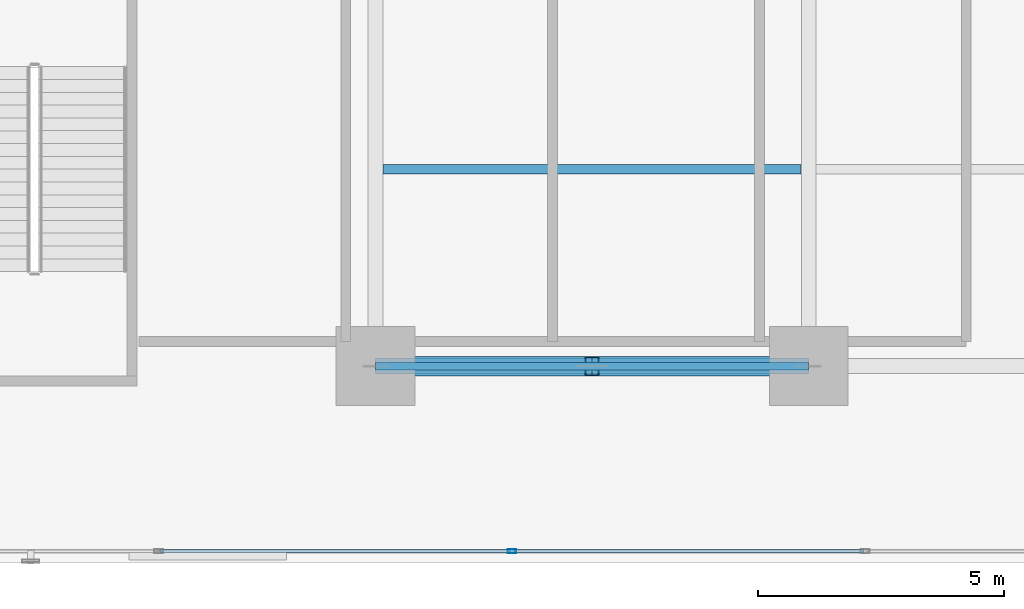
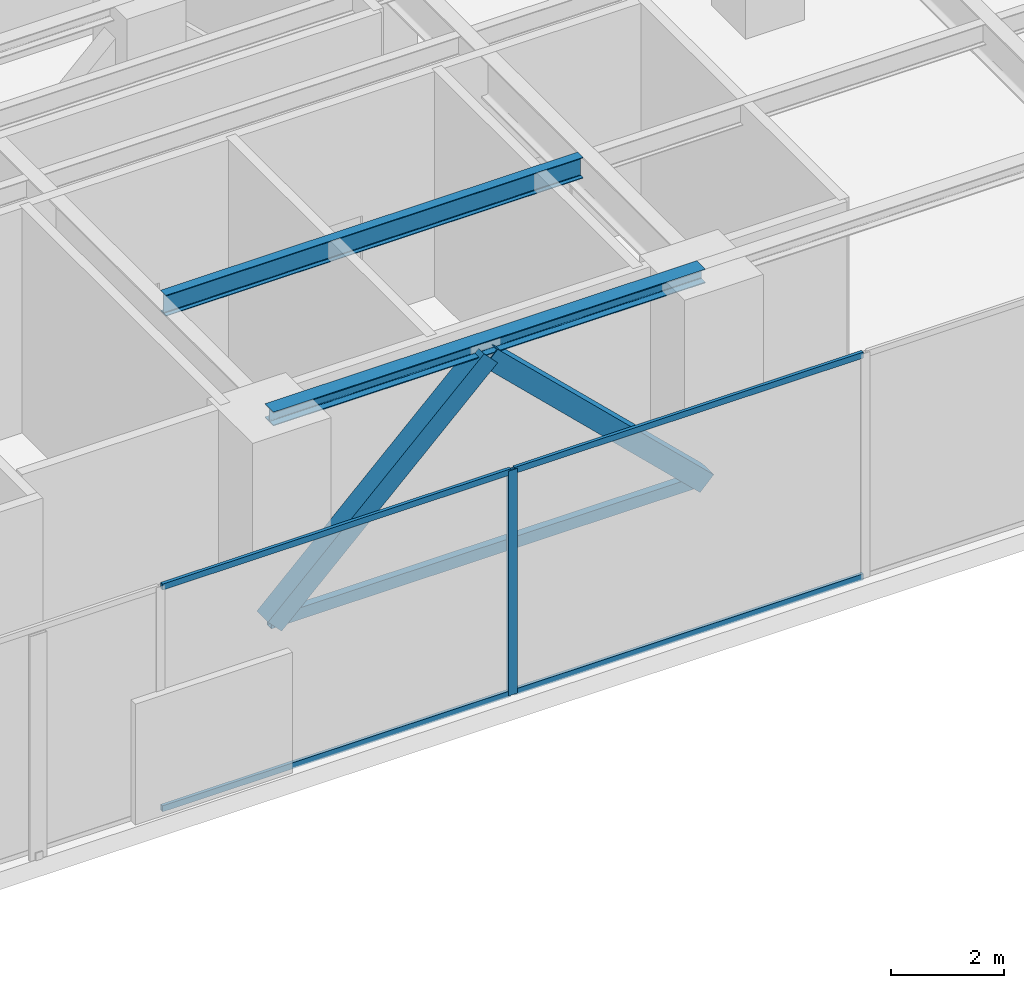
# One storey, part 13 of 36: 8 members, 2 beams, 1 element without a shape of its own.
"""IFC4 building model written with IfcOpenShell, lengths in metres."""

from ifc_helpers import new_model, si_unit, direction, frame, origin, origin_with_axes, origin_2d, place, context, subcontext, project, spatial, hollow_rectangle, i_section, extrude, source, transform, mapped, material, layer, layer_set, material_profile, profile_set, type_object, element, aggregate, save


model = new_model("IFC4")

# Units and contexts
model_context = context("Model", 3, precision=1e-05, world=origin(), true_north=direction((0.0, 1.0)))
body_context = subcontext(model_context, "Body", "Model", "MODEL_VIEW")
ifc_project = project(units=[si_unit("LENGTHUNIT", "METRE"), si_unit("AREAUNIT", "SQUARE_METRE"), si_unit("VOLUMEUNIT", "CUBIC_METRE"), si_unit("PLANEANGLEUNIT", "RADIAN"), si_unit("MASSUNIT", "GRAM", prefix="KILO")], contexts=[model_context])

# Site, building, storey
site_placement = place(None, origin())
site = spatial("IfcSite", under=ifc_project, at=site_placement, CompositionType="ELEMENT")
building_placement = place(site_placement, origin())
building = spatial("IfcBuilding", under=site, at=building_placement, Name="Kolvaren Waterfront Exchange", CompositionType="ELEMENT")
storey_placement = place(building_placement, frame((0.0, 0.0, 82.800048828125)))
storey = spatial("IfcBuildingStorey", under=building, at=storey_placement, Name="L21", CompositionType="ELEMENT", Elevation=82.800048828125)

# Beams
ifc_material_1 = material(Name="Steel S355", Category="steel")
ifc_material_profile_1 = material_profile(ifc_material_1, i_section(OverallWidth=0.300048828125, OverallDepth=0.300048828125, WebThickness=0.010986328125, FlangeThickness=0.01904296875, FilletRadius=0.027099609375, at=origin_2d()), Name="HEB300")
ifc_profile_set_1 = profile_set([ifc_material_profile_1], Name="Steel S355")
beam_type_1 = type_object("IfcBeamType", Name="STR-BM-HEB300", PredefinedType="SPANDREL", material=ifc_profile_set_1)
beam_1_placement = place(storey_placement, frame((36.800048828125, 5.199951171875, 4.68994140625), z_axis=(1.0, 0.0, 0.0), x_axis=(0.0, 1.0, 0.0)))
element("IfcBeam", 1, at=beam_1_placement, inside=storey, type_object=beam_type_1, Name="L21 east-arm spandrel S3", PredefinedType="SPANDREL", context=body_context, shape_type="SweptSolid", body=[
    extrude(i_section(OverallWidth=0.300048828125, OverallDepth=0.300048828125, WebThickness=0.010986328125, FlangeThickness=0.01904296875, FilletRadius=0.027099609375, at=origin_2d()), origin(), (0.0, 0.0, 1.0), 8.800048828125),
])
ifc_material_profile_2 = material_profile(ifc_material_1, i_section(OverallWidth=0.18994140625, OverallDepth=0.449951171875, WebThickness=0.009521484375, FlangeThickness=0.0146484375, FilletRadius=0.02099609375, at=origin_2d()), Name="IPE450")
ifc_profile_set_2 = profile_set([ifc_material_profile_2], Name="Steel S355")
beam_type_2 = type_object("IfcBeamType", Name="STR-BM-IPE450", PredefinedType="JOIST", material=ifc_profile_set_2)
beam_2_placement = place(storey_placement, frame((36.951904296875, 9.199951171875, 4.614990234375), z_axis=(1.0, 0.0, 0.0), x_axis=(0.0, 1.0, 0.0)))
element("IfcBeam", 2, at=beam_2_placement, inside=storey, type_object=beam_type_2, Name="L21 east-arm composite joist 3B", PredefinedType="JOIST", context=body_context, shape_type="SweptSolid", body=[
    extrude(i_section(OverallWidth=0.18994140625, OverallDepth=0.449951171875, WebThickness=0.009521484375, FlangeThickness=0.0146484375, FilletRadius=0.02099609375, at=origin_2d()), origin(), (0.0, 0.0, 1.0), 8.49609375),
])

# Members
ifc_material_2 = material(Name="Steel S460", Category="steel")
ifc_material_profile_3 = material_profile(ifc_material_2, hollow_rectangle(XDim=0.14990234375, YDim=0.25, WallThickness=0.010009765625, at=origin_2d()), Name="RHS250x150x10")
ifc_profile_set_3 = profile_set([ifc_material_profile_3], Name="Steel S460")
member_type_1 = type_object("IfcMemberType", Name="STR-BR-RHS250", PredefinedType="CHORD", material=ifc_profile_set_3)
member_1_placement = place(storey_placement, frame((36.800048828125, 5.199951171875, 0.25), z_axis=(1.0, 0.0, 0.0), x_axis=(0.0, 1.0, 0.0)))
element("IfcMember", 3, at=member_1_placement, inside=storey, type_object=member_type_1, Name="L21 belt-truss bottom chord BT3", PredefinedType="CHORD", context=body_context, shape_type="SweptSolid", body=[
    extrude(hollow_rectangle(XDim=0.14990234375, YDim=0.25, WallThickness=0.010009765625, at=origin_2d()), origin(), (0.0, 0.0, 1.0), 8.800048828125),
])
ifc_material_profile_4 = material_profile(ifc_material_2, hollow_rectangle(XDim=0.39990234375, YDim=0.39990234375, WallThickness=0.02001953125, at=origin_2d()), Name="SHS400x400x20")
ifc_profile_set_4 = profile_set([ifc_material_profile_4], Name="Steel S460")
member_type_2 = type_object("IfcMemberType", Name="STR-BR-SHS400", PredefinedType="BRACE", material=ifc_profile_set_4)
member_2_placement = place(storey_placement, frame((36.800048828125, 5.199951171875, 0.25), z_axis=(0.720070995005, 0.0, 0.693900397861), x_axis=(0.0, 1.0, 0.0)))
element("IfcMember", 4, at=member_2_placement, inside=storey, type_object=member_type_2, Name="L21 belt-truss chevron brace BT3L", PredefinedType="BRACE", context=body_context, shape_type="SweptSolid", body=[
    extrude(hollow_rectangle(XDim=0.39990234375, YDim=0.39990234375, WallThickness=0.02001953125, at=origin_2d()), origin(), (0.0, 0.0, 1.0), 6.1103515625),
])
member_3_placement = place(storey_placement, frame((45.60009765625, 5.199951171875, 0.25), z_axis=(-0.720090232471, 0.0, 0.693880434297), x_axis=(0.0, -1.0, 0.0)))
element("IfcMember", 5, at=member_3_placement, inside=storey, type_object=member_type_2, Name="L21 belt-truss chevron brace BT3R", PredefinedType="BRACE", context=body_context, shape_type="SweptSolid", body=[
    extrude(hollow_rectangle(XDim=0.39990234375, YDim=0.39990234375, WallThickness=0.02001953125, at=origin_2d()), origin(), (0.0, 0.0, 1.0), 6.110595703125),
])

# Curtain wall, members
ifc_material_3 = material(Name="Anodised dark bronze spandrel aluminium", Category="aluminium")
ifc_layer = layer(ifc_material_3, 0.219970703125, Name="Anodised dark bronze spandrel aluminium")
ifc_layer_set = layer_set([ifc_layer], Name="Anodised dark bronze spandrel aluminium")
curtain_wall_type = type_object("IfcCurtainWallType", Name="ARC-CW-SYS6", PredefinedType="USERDEFINED", material=ifc_layer_set)
curtain_wall_placement = place(storey_placement, origin())
curtain_wall = element("IfcCurtainWall", 6, at=curtain_wall_placement, inside=storey, type_object=curtain_wall_type, Name="L21 stick curtain wall CW6 (CW-L21-S)", ObjectType="STICK CURTAIN WALL", PredefinedType="USERDEFINED")
ifc_material_4 = material(Name="Anodised bronze aluminium 6063-T6", Category="aluminium")
ifc_material_profile_5 = material_profile(ifc_material_4, hollow_rectangle(XDim=0.074951171875, YDim=0.179931640625, WallThickness=0.00439453125, at=origin_2d()), Name="ALU-MUL-180x75x4.5")
ifc_profile_set_5 = profile_set([ifc_material_profile_5], Name="Anodised bronze aluminium 6063-T6")
member_type_3 = type_object("IfcMemberType", Name="ARC-CWM-180", PredefinedType="MULLION", material=ifc_profile_set_5)
shared_shape_1 = source(origin_with_axes(), body_context, "Body", "SweptSolid", [
    extrude(hollow_rectangle(XDim=0.074951171875, YDim=0.179931640625, WallThickness=0.00439453125, at=origin_2d()), origin(), (0.0, 0.0, 1.0), 4.83984375),
])
member_4_placement = place(storey_placement, frame((39.574951171875, 1.43994140625, 0.0), z_axis=(0.0, 0.0, 1.0), x_axis=(0.0, 1.0, 0.0)))
member_4 = element("IfcMember", 7, at=member_4_placement, type_object=member_type_3, Name="CW6 mullion 6", PredefinedType="MULLION", context=body_context, shape_type="MappedRepresentation", body=[
    mapped(shared_shape_1, transform((0.0, 0.0, 0.0), x_axis=(1.0, 0.0, 0.0), y_axis=(0.0, 1.0, 0.0), z_axis=(0.0, 0.0, 1.0), scale=1.0)),
])
ifc_material_profile_6 = material_profile(ifc_material_4, hollow_rectangle(XDim=0.06494140625, YDim=0.1298828125, WallThickness=0.00390625, at=origin_2d()), Name="ALU-TRN-130x65x4")
ifc_profile_set_6 = profile_set([ifc_material_profile_6], Name="Anodised bronze aluminium 6063-T6")
member_type_4 = type_object("IfcMemberType", Name="ARC-CWT-130", PredefinedType="USERDEFINED", material=ifc_profile_set_6)
shared_shape_2 = source(origin_with_axes(), body_context, "Body", "SweptSolid", [
    extrude(hollow_rectangle(XDim=0.06494140625, YDim=0.1298828125, WallThickness=0.00390625, at=origin_2d()), origin(), (0.0, 0.0, 1.0), 7.099853515625),
])
member_5_placement = place(storey_placement, frame((39.612548828125, 1.43994140625, 0.032470703125), z_axis=(1.0, 0.0, 0.0), x_axis=(0.0, 1.0, 0.0)))
member_5 = element("IfcMember", 8, at=member_5_placement, type_object=member_type_4, Name="CW6 transom 6.1", ObjectType="TRANSOM", PredefinedType="USERDEFINED", context=body_context, shape_type="MappedRepresentation", body=[
    mapped(shared_shape_2, transform((0.0, 0.0, 0.0), x_axis=(1.0, 0.0, 0.0), y_axis=(0.0, 1.0, 0.0), z_axis=(0.0, 0.0, 1.0), scale=1.0)),
])
member_6_placement = place(storey_placement, frame((39.612548828125, 1.43994140625, 4.807373046875), z_axis=(1.0, 0.0, 0.0), x_axis=(0.0, 1.0, 0.0)))
member_6 = element("IfcMember", 9, at=member_6_placement, type_object=member_type_4, Name="CW6 transom 6.2", ObjectType="TRANSOM", PredefinedType="USERDEFINED", context=body_context, shape_type="MappedRepresentation", body=[
    mapped(shared_shape_2, transform((0.0, 0.0, 0.0), x_axis=(1.0, 0.0, 0.0), y_axis=(0.0, 1.0, 0.0), z_axis=(0.0, 0.0, 1.0), scale=1.0)),
])
shared_shape_3 = source(origin_with_axes(), body_context, "Body", "SweptSolid", [
    extrude(hollow_rectangle(XDim=0.06494140625, YDim=0.1298828125, WallThickness=0.00390625, at=origin_2d()), origin(), (0.0, 0.0, 1.0), 7.10009765625),
])
member_7_placement = place(storey_placement, frame((32.4375, 1.43994140625, 0.032470703125), z_axis=(1.0, 0.0, 0.0), x_axis=(0.0, 1.0, 0.0)))
member_7 = element("IfcMember", 10, at=member_7_placement, type_object=member_type_4, Name="CW6 transom 5.1", ObjectType="TRANSOM", PredefinedType="USERDEFINED", context=body_context, shape_type="MappedRepresentation", body=[
    mapped(shared_shape_3, transform((0.0, 0.0, 0.0), x_axis=(1.0, 0.0, 0.0), y_axis=(0.0, 1.0, 0.0), z_axis=(0.0, 0.0, 1.0), scale=1.0)),
])
member_8_placement = place(storey_placement, frame((32.4375, 1.43994140625, 4.807373046875), z_axis=(1.0, 0.0, 0.0), x_axis=(0.0, 1.0, 0.0)))
member_8 = element("IfcMember", 11, at=member_8_placement, type_object=member_type_4, Name="CW6 transom 5.2", ObjectType="TRANSOM", PredefinedType="USERDEFINED", context=body_context, shape_type="MappedRepresentation", body=[
    mapped(shared_shape_3, transform((0.0, 0.0, 0.0), x_axis=(1.0, 0.0, 0.0), y_axis=(0.0, 1.0, 0.0), z_axis=(0.0, 0.0, 1.0), scale=1.0)),
])
aggregate(curtain_wall, [member_4, member_7, member_8, member_5, member_6])

save(model, "model.ifc")
